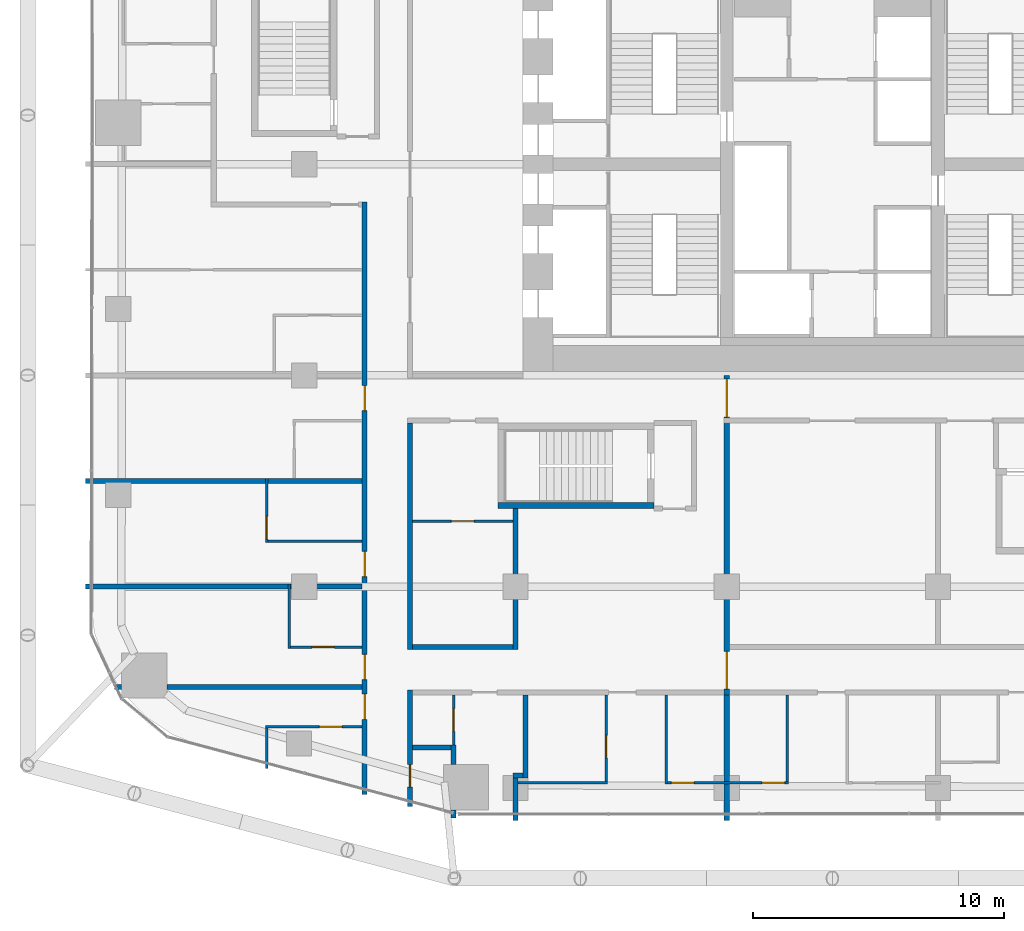
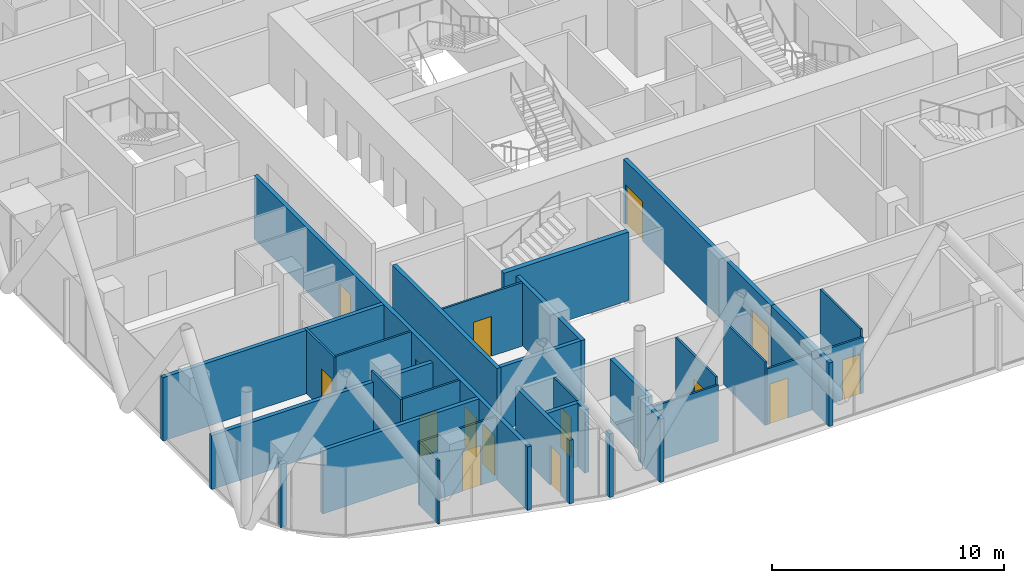
# One storey, part 24 of 34: 31 walls, 15 doors, 15 openings.
"""IFC4 building model written with IfcOpenShell, lengths in metres."""

from ifc_helpers import new_model, si_unit, direction, frame, frame_2d, origin, place, context, subcontext, project, spatial, rectangle, extrude, material, layer, layer_set, type_object, element, fill, save


model = new_model("IFC4")

# Units and contexts
model_context = context("Model", 3, precision=1e-05, world=origin(), true_north=direction((0.0, 1.0)))
body_context = subcontext(model_context, "Body", "Model", "MODEL_VIEW")
ifc_project = project(units=[si_unit("LENGTHUNIT", "METRE"), si_unit("AREAUNIT", "SQUARE_METRE"), si_unit("VOLUMEUNIT", "CUBIC_METRE"), si_unit("PLANEANGLEUNIT", "RADIAN"), si_unit("MASSUNIT", "GRAM", prefix="KILO")], contexts=[model_context])

# Site, building, storey
site_placement = place(None, origin())
site = spatial("IfcSite", under=ifc_project, at=site_placement, CompositionType="ELEMENT")
building_placement = place(site_placement, origin())
building = spatial("IfcBuilding", under=site, at=building_placement, Name="Marenta Gate Hotel Tower", CompositionType="ELEMENT")
storey_placement = place(building_placement, frame((0.0, 0.0, 76.10009765625)))
storey = spatial("IfcBuildingStorey", under=building, at=storey_placement, Name="L17", CompositionType="ELEMENT", Elevation=76.10009765625)

# Wall
ifc_material_1 = material(Name="Concrete blockwork", Category="masonry")
ifc_layer_1 = layer(ifc_material_1, 0.199951171875)
ifc_layer_set_1 = layer_set([ifc_layer_1], Name="Concrete blockwork")
wall_type_1 = type_object("IfcWallType", Name="Compartment wall 200 REI 180", PredefinedType="PARTITIONING", material=ifc_layer_set_1)
wall_1_placement = place(storey_placement, frame((-4.199951171875, -17.699951171875, 0.0), z_axis=(0.0, 0.0, 1.0), x_axis=(0.0, 1.0, 0.0)))
element("IfcWall", 1, at=wall_1_placement, inside=storey, type_object=wall_type_1, Name="L17-PTN-W075", PredefinedType="PARTITIONING", context=body_context, shape_type="SweptSolid", body=[
    extrude(rectangle(XDim=5.0, YDim=0.199951171875, at=frame_2d((2.5, 0.0))), origin(), (0.0, 0.0, 1.0), 3.33984375),
])

# Wall, openings, doors
wall_2_placement = place(storey_placement, frame((-4.199951171875, -12.699951171875, 0.0), z_axis=(0.0, 0.0, 1.0), x_axis=(0.0, 1.0, 0.0)))
wall_2 = element("IfcWall", 2, at=wall_2_placement, inside=storey, type_object=wall_type_1, Name="L17-PTN-W078", PredefinedType="PARTITIONING", context=body_context, shape_type="SweptSolid", body=[
    extrude(rectangle(XDim=12.699951171875, YDim=0.199951171875, at=frame_2d((6.35009765625, 0.0))), origin(), (0.0, 0.0, 1.0), 3.33984375),
])
opening_1_placement = place(wall_2_placement, frame((11.050048828125, 0.0, 0.0)))
opening_1 = element("IfcOpeningElement", 3, at=opening_1_placement, cuts=wall_2, Name="Opening G06-FD3", PredefinedType="OPENING", context=body_context, shape_type="SweptSolid", body=[
    extrude(rectangle(XDim=1.5, YDim=2.10009765625, at=frame_2d((0.75, 1.050048828125))), frame((0.0, 0.10009765625, 0.0), z_axis=(0.0, -1.0, 0.0), x_axis=(1.0, 0.0, 0.0)), (0.0, 0.0, 1.0), 0.199951171875),
])
opening_2_placement = place(wall_2_placement, frame((0.22509765625, 0.0, 0.0)))
opening_2 = element("IfcOpeningElement", 4, at=opening_2_placement, cuts=wall_2, Name="Opening G06-FD4", PredefinedType="OPENING", context=body_context, shape_type="SweptSolid", body=[
    extrude(rectangle(XDim=1.5, YDim=2.10009765625, at=frame_2d((0.75, 1.050048828125))), frame((0.0, 0.10009765625, 0.0), z_axis=(0.0, -1.0, 0.0), x_axis=(1.0, 0.0, 0.0)), (0.0, 0.0, 1.0), 0.199951171875),
])
ifc_material_2 = material(Name="Hollow steel door set", Category="steel")
door_type_1 = type_object("IfcDoorType", Name="Compartment fire door 1500x2100 EI 60", OperationType="DOUBLE_DOOR_DOUBLE_SWING", PredefinedType="DOOR", material=ifc_material_2)
door_1_placement = place(opening_1_placement, origin())
door_1 = element("IfcDoor", 5, at=door_1_placement, inside=storey, type_object=door_type_1, Name="L17-PD-FD03", OperationType="DOUBLE_DOOR_DOUBLE_SWING", OverallHeight=2.10009765625, OverallWidth=1.5, PredefinedType="DOOR", context=body_context, shape_type="SweptSolid", body=[
    extrude(rectangle(XDim=1.5, YDim=2.10009765625, at=frame_2d((0.75, 1.050048828125))), frame((0.0, 0.02490234375, 0.0), z_axis=(0.0, -1.0, 0.0), x_axis=(1.0, 0.0, 0.0)), (0.0, 0.0, 1.0), 0.050048828125),
])
fill(opening_1, door_1)
door_2_placement = place(opening_2_placement, origin())
door_2 = element("IfcDoor", 6, at=door_2_placement, inside=storey, type_object=door_type_1, Name="L17-PD-FD04", OperationType="DOUBLE_DOOR_DOUBLE_SWING", OverallHeight=2.10009765625, OverallWidth=1.5, PredefinedType="DOOR", context=body_context, shape_type="SweptSolid", body=[
    extrude(rectangle(XDim=1.5, YDim=2.10009765625, at=frame_2d((0.75, 1.050048828125))), frame((0.0, 0.02490234375, 0.0), z_axis=(0.0, -1.0, 0.0), x_axis=(1.0, 0.0, 0.0)), (0.0, 0.0, 1.0), 0.050048828125),
])
fill(opening_2, door_2)

# Wall
ifc_material_3 = material(Name="Concrete C40", Category="concrete")
ifc_layer_2 = layer(ifc_material_3, 0.25)
ifc_layer_set_2 = layer_set([ifc_layer_2], Name="Concrete C40")
wall_type_2 = type_object("IfcWallType", Name="Remote stair enclosure wall 250 REI 180", PredefinedType="SHEAR", material=ifc_layer_set_2)
wall_3_placement = place(storey_placement, frame((-13.300048828125, -5.175048828125, 0.099853515625), z_axis=(0.0, 0.0, 1.0), x_axis=(1.0, 0.0, 0.0)))
element("IfcWall", 7, at=wall_3_placement, inside=storey, type_object=wall_type_2, Name="L17-RS-Z1-2-W1", PredefinedType="SHEAR", context=body_context, shape_type="SweptSolid", body=[
    extrude(rectangle(XDim=6.199951171875, YDim=0.25, at=frame_2d((3.10009765625, 0.0))), origin(), (0.0, 0.0, 1.0), 3.60009765625),
])

# Wall, opening, door
ifc_material_4 = material(Name="Concrete blockwork", Category="masonry")
ifc_layer_3 = layer(ifc_material_4, 0.199951171875)
ifc_layer_set_3 = layer_set([ifc_layer_3], Name="Concrete blockwork")
wall_type_3 = type_object("IfcWallType", Name="Room corridor wall 200 EI 120", PredefinedType="PARTITIONING", material=ifc_layer_set_3)
wall_4_placement = place(storey_placement, frame((-16.800048828125, -17.14306640625, 0.0), z_axis=(0.0, 0.0, 1.0), x_axis=(0.0, 1.0, 0.0)))
wall_4 = element("IfcWall", 8, at=wall_4_placement, inside=storey, type_object=wall_type_3, Name="L17-PTN-W103", PredefinedType="PARTITIONING", context=body_context, shape_type="SweptSolid", body=[
    extrude(rectangle(XDim=4.64306640625, YDim=0.199951171875, at=frame_2d((2.321533203125, 0.0))), origin(), (0.0, 0.0, 1.0), 3.33984375),
])
opening_3_placement = place(wall_4_placement, frame((0.77197265625, 0.0, 0.0)))
opening_3 = element("IfcOpeningElement", 9, at=opening_3_placement, cuts=wall_4, Name="Opening G06-78", PredefinedType="OPENING", context=body_context, shape_type="SweptSolid", body=[
    extrude(rectangle(XDim=0.89990234375, YDim=2.10009765625, at=frame_2d((0.449951171875, 1.050048828125))), frame((0.0, 0.10009765625, 0.0), z_axis=(0.0, -1.0, 0.0), x_axis=(1.0, 0.0, 0.0)), (0.0, 0.0, 1.0), 0.199951171875),
])
ifc_material_5 = material(Name="Hollow steel door set", Category="steel")
door_type_2 = type_object("IfcDoorType", Name="Room service door 900x2100 EI 60", OperationType="NOTDEFINED", PredefinedType="DOOR", material=ifc_material_5)
door_3_placement = place(opening_3_placement, origin())
door_3 = element("IfcDoor", 10, at=door_3_placement, inside=storey, type_object=door_type_2, Name="L17-PD-D078", OperationType="SINGLE_SWING_LEFT", OverallHeight=2.10009765625, OverallWidth=0.89990234375, PredefinedType="DOOR", context=body_context, shape_type="SweptSolid", body=[
    extrude(rectangle(XDim=0.89990234375, YDim=2.10009765625, at=frame_2d((0.449951171875, 1.050048828125))), frame((0.0, 0.02490234375, 0.0), z_axis=(0.0, -1.0, 0.0), x_axis=(1.0, 0.0, 0.0)), (0.0, 0.0, 1.0), 0.050048828125),
])
fill(opening_3, door_3)

# Walls
ifc_material_6 = material(Name="Gypsum board on steel stud", Category="steel")
ifc_layer_4 = layer(ifc_material_6, 0.199951171875)
ifc_layer_set_4 = layer_set([ifc_layer_4], Name="Gypsum board on steel stud")
wall_type_4 = type_object("IfcWallType", Name="Room corridor wall 200 EI 60", PredefinedType="PARTITIONING", material=ifc_layer_set_4)
wall_5_placement = place(storey_placement, frame((-16.699951171875, -10.800048828125, 0.0), z_axis=(0.0, 0.0, 1.0), x_axis=(1.0, 0.0, 0.0)))
element("IfcWall", 11, at=wall_5_placement, inside=storey, type_object=wall_type_4, Name="L17-PTN-W038", PredefinedType="PARTITIONING", context=body_context, shape_type="SweptSolid", body=[
    extrude(rectangle(XDim=4.0, YDim=0.199951171875, at=frame_2d((2.0, 0.0))), origin(), (0.0, 0.0, 1.0), 3.33984375),
])
wall_6_placement = place(storey_placement, frame((-12.60009765625, -10.89990234375, 0.0), z_axis=(0.0, 0.0, 1.0), x_axis=(0.0, 1.0, 0.0)))
element("IfcWall", 12, at=wall_6_placement, inside=storey, type_object=wall_type_4, Name="L17-PTN-W096", PredefinedType="PARTITIONING", context=body_context, shape_type="SweptSolid", body=[
    extrude(rectangle(XDim=5.599853515625, YDim=0.199951171875, at=frame_2d((2.7998046875, 0.0))), origin(), (0.0, 0.0, 1.0), 3.33984375),
])
wall_7_placement = place(storey_placement, frame((-16.800048828125, -10.89990234375, 0.0), z_axis=(0.0, 0.0, 1.0), x_axis=(0.0, 1.0, 0.0)))
element("IfcWall", 13, at=wall_7_placement, inside=storey, type_object=wall_type_4, Name="L17-PTN-W104", PredefinedType="PARTITIONING", context=body_context, shape_type="SweptSolid", body=[
    extrude(rectangle(XDim=9.0, YDim=0.199951171875, at=frame_2d((4.5, 0.0))), origin(), (0.0, 0.0, 1.0), 3.33984375),
])

# Wall, openings, doors
wall_8_placement = place(storey_placement, frame((-18.60009765625, -16.6650390625, 0.0), z_axis=(0.0, 0.0, 1.0), x_axis=(0.0, 1.0, 0.0)))
wall_8 = element("IfcWall", 14, at=wall_8_placement, inside=storey, type_object=wall_type_4, Name="L17-PTN-W112", PredefinedType="PARTITIONING", context=body_context, shape_type="SweptSolid", body=[
    extrude(rectangle(XDim=23.56494140625, YDim=0.199951171875, at=frame_2d((11.782470703125, 0.0))), origin(), (0.0, 0.0, 1.0), 3.33984375),
])
opening_4_placement = place(wall_8_placement, frame((2.990966796875, 0.0, 0.0)))
opening_4 = element("IfcOpeningElement", 15, at=opening_4_placement, cuts=wall_8, Name="Opening G06-42", PredefinedType="OPENING", context=body_context, shape_type="SweptSolid", body=[
    extrude(rectangle(XDim=1.0, YDim=2.10009765625, at=frame_2d((0.5, 1.050048828125))), frame((0.0, 0.10009765625, 0.0), z_axis=(0.0, -1.0, 0.0), x_axis=(1.0, 0.0, 0.0)), (0.0, 0.0, 1.0), 0.199951171875),
])
opening_5_placement = place(wall_8_placement, frame((4.573974609375, 0.0, 0.0)))
opening_5 = element("IfcOpeningElement", 16, at=opening_5_placement, cuts=wall_8, Name="Opening G06-44", PredefinedType="OPENING", context=body_context, shape_type="SweptSolid", body=[
    extrude(rectangle(XDim=1.0, YDim=2.10009765625, at=frame_2d((0.5, 1.050048828125))), frame((0.0, 0.10009765625, 0.0), z_axis=(0.0, -1.0, 0.0), x_axis=(1.0, 0.0, 0.0)), (0.0, 0.0, 1.0), 0.199951171875),
])
opening_6_placement = place(wall_8_placement, frame((8.6650390625, 0.0, 0.0)))
opening_6 = element("IfcOpeningElement", 17, at=opening_6_placement, cuts=wall_8, Name="Opening G06-46", PredefinedType="OPENING", context=body_context, shape_type="SweptSolid", body=[
    extrude(rectangle(XDim=1.0, YDim=2.10009765625, at=frame_2d((0.5, 1.050048828125))), frame((0.0, 0.10009765625, 0.0), z_axis=(0.0, -1.0, 0.0), x_axis=(1.0, 0.0, 0.0)), (0.0, 0.0, 1.0), 0.199951171875),
])
opening_7_placement = place(wall_8_placement, frame((15.264892578125, 0.0, 0.0)))
opening_7 = element("IfcOpeningElement", 18, at=opening_7_placement, cuts=wall_8, Name="Opening G06-48", PredefinedType="OPENING", context=body_context, shape_type="SweptSolid", body=[
    extrude(rectangle(XDim=1.0, YDim=2.10009765625, at=frame_2d((0.5, 1.050048828125))), frame((0.0, 0.10009765625, 0.0), z_axis=(0.0, -1.0, 0.0), x_axis=(1.0, 0.0, 0.0)), (0.0, 0.0, 1.0), 0.199951171875),
])
ifc_material_7 = material(Name="Timber door leaf", Category="wood")
door_type_3 = type_object("IfcDoorType", Name="Guest room door 1000x2100 EI 30", OperationType="NOTDEFINED", PredefinedType="DOOR", material=ifc_material_7)
door_4_placement = place(opening_4_placement, origin())
door_4 = element("IfcDoor", 19, at=door_4_placement, inside=storey, type_object=door_type_3, Name="L17-PD-D042", OperationType="SINGLE_SWING_LEFT", OverallHeight=2.10009765625, OverallWidth=1.0, PredefinedType="DOOR", context=body_context, shape_type="SweptSolid", body=[
    extrude(rectangle(XDim=1.0, YDim=2.10009765625, at=frame_2d((0.5, 1.050048828125))), frame((0.0, 0.02490234375, 0.0), z_axis=(0.0, -1.0, 0.0), x_axis=(1.0, 0.0, 0.0)), (0.0, 0.0, 1.0), 0.050048828125),
])
fill(opening_4, door_4)
door_5_placement = place(opening_5_placement, origin())
door_5 = element("IfcDoor", 20, at=door_5_placement, inside=storey, type_object=door_type_3, Name="L17-PD-D044", OperationType="SINGLE_SWING_LEFT", OverallHeight=2.10009765625, OverallWidth=1.0, PredefinedType="DOOR", context=body_context, shape_type="SweptSolid", body=[
    extrude(rectangle(XDim=1.0, YDim=2.10009765625, at=frame_2d((0.5, 1.050048828125))), frame((0.0, 0.02490234375, 0.0), z_axis=(0.0, -1.0, 0.0), x_axis=(1.0, 0.0, 0.0)), (0.0, 0.0, 1.0), 0.050048828125),
])
fill(opening_5, door_5)
door_6_placement = place(opening_6_placement, origin())
door_6 = element("IfcDoor", 21, at=door_6_placement, inside=storey, type_object=door_type_3, Name="L17-PD-D046", OperationType="SINGLE_SWING_LEFT", OverallHeight=2.10009765625, OverallWidth=1.0, PredefinedType="DOOR", context=body_context, shape_type="SweptSolid", body=[
    extrude(rectangle(XDim=1.0, YDim=2.10009765625, at=frame_2d((0.5, 1.050048828125))), frame((0.0, 0.02490234375, 0.0), z_axis=(0.0, -1.0, 0.0), x_axis=(1.0, 0.0, 0.0)), (0.0, 0.0, 1.0), 0.050048828125),
])
fill(opening_6, door_6)
door_7_placement = place(opening_7_placement, origin())
door_7 = element("IfcDoor", 22, at=door_7_placement, inside=storey, type_object=door_type_3, Name="L17-PD-D048", OperationType="SINGLE_SWING_LEFT", OverallHeight=2.10009765625, OverallWidth=1.0, PredefinedType="DOOR", context=body_context, shape_type="SweptSolid", body=[
    extrude(rectangle(XDim=1.0, YDim=2.10009765625, at=frame_2d((0.5, 1.050048828125))), frame((0.0, 0.02490234375, 0.0), z_axis=(0.0, -1.0, 0.0), x_axis=(1.0, 0.0, 0.0)), (0.0, 0.0, 1.0), 0.050048828125),
])
fill(opening_7, door_7)

# Wall
ifc_material_8 = material(Name="Gypsum board on steel stud", Category="steel")
ifc_layer_5 = layer(ifc_material_8, 0.10009765625)
ifc_layer_set_5 = layer_set([ifc_layer_5], Name="Gypsum board on steel stud")
wall_type_5 = type_object("IfcWallType", Name="Room partition 100", PredefinedType="PARTITIONING", material=ifc_layer_set_5)
wall_9_placement = place(storey_placement, frame((-12.5, -16.199951171875, 0.0), z_axis=(0.0, 0.0, 1.0), x_axis=(1.0, 0.0, 0.0)))
element("IfcWall", 23, at=wall_9_placement, inside=storey, type_object=wall_type_5, Name="L17-PTN-W014", PredefinedType="PARTITIONING", context=body_context, shape_type="SweptSolid", body=[
    extrude(rectangle(XDim=3.550048828125, YDim=0.10009765625, at=frame_2d((1.77490234375, 0.0))), origin(), (0.0, 0.0, 1.0), 2.93994140625),
])

# Wall, openings, doors
wall_10_placement = place(storey_placement, frame((-6.550048828125, -16.199951171875, 0.0), z_axis=(0.0, 0.0, 1.0), x_axis=(1.0, 0.0, 0.0)))
wall_10 = element("IfcWall", 24, at=wall_10_placement, inside=storey, type_object=wall_type_5, Name="L17-PTN-W015", PredefinedType="PARTITIONING", context=body_context, shape_type="SweptSolid", body=[
    extrude(rectangle(XDim=4.800048828125, YDim=0.10009765625, at=frame_2d((2.39990234375, 0.0))), origin(), (0.0, 0.0, 1.0), 2.93994140625),
])
opening_8_placement = place(wall_10_placement, frame((0.14990234375, 0.0, 0.0)))
opening_8 = element("IfcOpeningElement", 25, at=opening_8_placement, cuts=wall_10, Name="Opening G06-34", PredefinedType="OPENING", context=body_context, shape_type="SweptSolid", body=[
    extrude(rectangle(XDim=0.89990234375, YDim=2.10009765625, at=frame_2d((0.449951171875, 1.050048828125))), frame((0.0, 0.050048828125, 0.0), z_axis=(0.0, -1.0, 0.0), x_axis=(1.0, 0.0, 0.0)), (0.0, 0.0, 1.0), 0.10009765625),
])
opening_9_placement = place(wall_10_placement, frame((3.75, 0.0, 0.0)))
opening_9 = element("IfcOpeningElement", 26, at=opening_9_placement, cuts=wall_10, Name="Opening G06-37", PredefinedType="OPENING", context=body_context, shape_type="SweptSolid", body=[
    extrude(rectangle(XDim=0.89990234375, YDim=2.10009765625, at=frame_2d((0.449951171875, 1.050048828125))), frame((0.0, 0.050048828125, 0.0), z_axis=(0.0, -1.0, 0.0), x_axis=(1.0, 0.0, 0.0)), (0.0, 0.0, 1.0), 0.10009765625),
])
ifc_material_9 = material(Name="Timber door leaf", Category="wood")
door_type_4 = type_object("IfcDoorType", Name="Room inner door 900x2100", OperationType="NOTDEFINED", PredefinedType="DOOR", material=ifc_material_9)
door_8_placement = place(opening_8_placement, origin())
door_8 = element("IfcDoor", 27, at=door_8_placement, inside=storey, type_object=door_type_4, Name="L17-PD-D034", OperationType="SINGLE_SWING_LEFT", OverallHeight=2.10009765625, OverallWidth=0.89990234375, PredefinedType="DOOR", context=body_context, shape_type="SweptSolid", body=[
    extrude(rectangle(XDim=0.89990234375, YDim=2.10009765625, at=frame_2d((0.449951171875, 1.050048828125))), frame((0.0, 0.02490234375, 0.0), z_axis=(0.0, -1.0, 0.0), x_axis=(1.0, 0.0, 0.0)), (0.0, 0.0, 1.0), 0.050048828125),
])
fill(opening_8, door_8)
door_9_placement = place(opening_9_placement, origin())
door_9 = element("IfcDoor", 28, at=door_9_placement, inside=storey, type_object=door_type_4, Name="L17-PD-D037", OperationType="SINGLE_SWING_RIGHT", OverallHeight=2.10009765625, OverallWidth=0.89990234375, PredefinedType="DOOR", context=body_context, shape_type="SweptSolid", body=[
    extrude(rectangle(XDim=0.89990234375, YDim=2.10009765625, at=frame_2d((0.449951171875, 1.050048828125))), frame((0.0, 0.02490234375, 0.0), z_axis=(0.0, -1.0, 0.0), x_axis=(1.0, 0.0, 0.0)), (0.0, 0.0, 1.0), 0.050048828125),
])
fill(opening_9, door_9)

# Wall, opening, door
wall_11_placement = place(storey_placement, frame((-22.550048828125, -13.965087890625, 0.0), z_axis=(0.0, 0.0, 1.0), x_axis=(1.0, 0.0, 0.0)))
wall_11 = element("IfcWall", 29, at=wall_11_placement, inside=storey, type_object=wall_type_5, Name="L17-PTN-W027", PredefinedType="PARTITIONING", context=body_context, shape_type="SweptSolid", body=[
    extrude(rectangle(XDim=3.85009765625, YDim=0.10009765625, at=frame_2d((1.925048828125, 0.0))), origin(), (0.0, 0.0, 1.0), 3.33984375),
])
opening_10_placement = place(wall_11_placement, frame((2.155029296875, 0.0, 0.0)))
opening_10 = element("IfcOpeningElement", 30, at=opening_10_placement, cuts=wall_11, Name="Opening G06-43", PredefinedType="OPENING", context=body_context, shape_type="SweptSolid", body=[
    extrude(rectangle(XDim=0.89990234375, YDim=2.10009765625, at=frame_2d((0.449951171875, 1.050048828125))), frame((0.0, 0.050048828125, 0.0), z_axis=(0.0, -1.0, 0.0), x_axis=(1.0, 0.0, 0.0)), (0.0, 0.0, 1.0), 0.10009765625),
])
ifc_material_10 = material(Name="Timber door leaf", Category="wood")
door_type_5 = type_object("IfcDoorType", Name="Guest bathroom door 900x2100", OperationType="NOTDEFINED", PredefinedType="DOOR", material=ifc_material_10)
door_10_placement = place(opening_10_placement, origin())
door_10 = element("IfcDoor", 31, at=door_10_placement, inside=storey, type_object=door_type_5, Name="L17-PD-D043", OperationType="SINGLE_SWING_RIGHT", OverallHeight=2.10009765625, OverallWidth=0.89990234375, PredefinedType="DOOR", context=body_context, shape_type="SweptSolid", body=[
    extrude(rectangle(XDim=0.89990234375, YDim=2.10009765625, at=frame_2d((0.449951171875, 1.050048828125))), frame((0.0, 0.02490234375, 0.0), z_axis=(0.0, -1.0, 0.0), x_axis=(1.0, 0.0, 0.0)), (0.0, 0.0, 1.0), 0.050048828125),
])
fill(opening_10, door_10)

wall_12_placement = place(storey_placement, frame((-21.550048828125, -10.800048828125, 0.0), z_axis=(0.0, 0.0, 1.0), x_axis=(1.0, 0.0, 0.0)))
wall_12 = element("IfcWall", 32, at=wall_12_placement, inside=storey, type_object=wall_type_5, Name="L17-PTN-W036", PredefinedType="PARTITIONING", context=body_context, shape_type="SweptSolid", body=[
    extrude(rectangle(XDim=2.85009765625, YDim=0.10009765625, at=frame_2d((1.425048828125, 0.0))), origin(), (0.0, 0.0, 1.0), 3.33984375),
])
opening_11_placement = place(wall_12_placement, frame((0.85009765625, 0.0, 0.0)))
opening_11 = element("IfcOpeningElement", 33, at=opening_11_placement, cuts=wall_12, Name="Opening G06-45", PredefinedType="OPENING", context=body_context, shape_type="SweptSolid", body=[
    extrude(rectangle(XDim=0.89990234375, YDim=2.10009765625, at=frame_2d((0.449951171875, 1.050048828125))), frame((0.0, 0.050048828125, 0.0), z_axis=(0.0, -1.0, 0.0), x_axis=(1.0, 0.0, 0.0)), (0.0, 0.0, 1.0), 0.10009765625),
])
door_11_placement = place(opening_11_placement, origin())
door_11 = element("IfcDoor", 34, at=door_11_placement, inside=storey, type_object=door_type_5, Name="L17-PD-D045", OperationType="SINGLE_SWING_LEFT", OverallHeight=2.10009765625, OverallWidth=0.89990234375, PredefinedType="DOOR", context=body_context, shape_type="SweptSolid", body=[
    extrude(rectangle(XDim=0.89990234375, YDim=2.10009765625, at=frame_2d((0.449951171875, 1.050048828125))), frame((0.0, 0.02490234375, 0.0), z_axis=(0.0, -1.0, 0.0), x_axis=(1.0, 0.0, 0.0)), (0.0, 0.0, 1.0), 0.050048828125),
])
fill(opening_11, door_11)

# Wall
wall_13_placement = place(storey_placement, frame((-22.449951171875, -6.60009765625, 0.0), z_axis=(0.0, 0.0, 1.0), x_axis=(1.0, 0.0, 0.0)))
element("IfcWall", 35, at=wall_13_placement, inside=storey, type_object=wall_type_5, Name="L17-PTN-W048", PredefinedType="PARTITIONING", context=body_context, shape_type="SweptSolid", body=[
    extrude(rectangle(XDim=3.75, YDim=0.10009765625, at=frame_2d((1.875, 0.0))), origin(), (0.0, 0.0, 1.0), 3.33984375),
])

# Wall, opening, door
wall_14_placement = place(storey_placement, frame((-16.699951171875, -5.800048828125, 0.0), z_axis=(0.0, 0.0, 1.0), x_axis=(1.0, 0.0, 0.0)))
wall_14 = element("IfcWall", 36, at=wall_14_placement, inside=storey, type_object=wall_type_5, Name="L17-PTN-W051", PredefinedType="PARTITIONING", context=body_context, shape_type="SweptSolid", body=[
    extrude(rectangle(XDim=4.0, YDim=0.10009765625, at=frame_2d((2.0, 0.0))), origin(), (0.0, 0.0, 1.0), 3.33984375),
])
opening_12_placement = place(wall_14_placement, frame((1.550048828125, 0.0, 0.0)))
opening_12 = element("IfcOpeningElement", 37, at=opening_12_placement, cuts=wall_14, Name="Opening G06-03", PredefinedType="OPENING", context=body_context, shape_type="SweptSolid", body=[
    extrude(rectangle(XDim=0.89990234375, YDim=2.10009765625, at=frame_2d((0.449951171875, 1.050048828125))), frame((0.0, 0.050048828125, 0.0), z_axis=(0.0, -1.0, 0.0), x_axis=(1.0, 0.0, 0.0)), (0.0, 0.0, 1.0), 0.10009765625),
])
door_12_placement = place(opening_12_placement, origin())
door_12 = element("IfcDoor", 38, at=door_12_placement, inside=storey, type_object=door_type_4, Name="L17-PD-D003", OperationType="SINGLE_SWING_LEFT", OverallHeight=2.10009765625, OverallWidth=0.89990234375, PredefinedType="DOOR", context=body_context, shape_type="SweptSolid", body=[
    extrude(rectangle(XDim=0.89990234375, YDim=2.10009765625, at=frame_2d((0.449951171875, 1.050048828125))), frame((0.0, 0.02490234375, 0.0), z_axis=(0.0, -1.0, 0.0), x_axis=(1.0, 0.0, 0.0)), (0.0, 0.0, 1.0), 0.050048828125),
])
fill(opening_12, door_12)

# Walls
wall_15_placement = place(storey_placement, frame((-1.800048828125, -16.14990234375, 0.0), z_axis=(0.0, 0.0, 1.0), x_axis=(0.0, 1.0, 0.0)))
element("IfcWall", 39, at=wall_15_placement, inside=storey, type_object=wall_type_5, Name="L17-PTN-W072", PredefinedType="PARTITIONING", context=body_context, shape_type="SweptSolid", body=[
    extrude(rectangle(XDim=3.449951171875, YDim=0.10009765625, at=frame_2d((1.72509765625, 0.0))), origin(), (0.0, 0.0, 1.0), 3.33984375),
])
wall_16_placement = place(storey_placement, frame((-6.60009765625, -16.25, 0.0), z_axis=(0.0, 0.0, 1.0), x_axis=(0.0, 1.0, 0.0)))
element("IfcWall", 40, at=wall_16_placement, inside=storey, type_object=wall_type_5, Name="L17-PTN-W081", PredefinedType="PARTITIONING", context=body_context, shape_type="SweptSolid", body=[
    extrude(rectangle(XDim=3.550048828125, YDim=0.10009765625, at=frame_2d((1.77490234375, 0.0))), origin(), (0.0, 0.0, 1.0), 3.33984375),
])

# Wall, opening, door
wall_17_placement = place(storey_placement, frame((-9.0, -16.14990234375, 0.0), z_axis=(0.0, 0.0, 1.0), x_axis=(0.0, 1.0, 0.0)))
wall_17 = element("IfcWall", 41, at=wall_17_placement, inside=storey, type_object=wall_type_5, Name="L17-PTN-W088", PredefinedType="PARTITIONING", context=body_context, shape_type="SweptSolid", body=[
    extrude(rectangle(XDim=3.449951171875, YDim=0.10009765625, at=frame_2d((1.72509765625, 0.0))), origin(), (0.0, 0.0, 1.0), 3.33984375),
])
opening_13_placement = place(wall_17_placement, frame((0.93994140625, 0.0, 0.0)))
opening_13 = element("IfcOpeningElement", 42, at=opening_13_placement, cuts=wall_17, Name="Opening G06-33", PredefinedType="OPENING", context=body_context, shape_type="SweptSolid", body=[
    extrude(rectangle(XDim=0.89990234375, YDim=2.10009765625, at=frame_2d((0.449951171875, 1.050048828125))), frame((0.0, 0.050048828125, 0.0), z_axis=(0.0, -1.0, 0.0), x_axis=(1.0, 0.0, 0.0)), (0.0, 0.0, 1.0), 0.10009765625),
])
door_13_placement = place(opening_13_placement, origin())
door_13 = element("IfcDoor", 43, at=door_13_placement, inside=storey, type_object=door_type_5, Name="L17-PD-D033", OperationType="SINGLE_SWING_LEFT", OverallHeight=2.10009765625, OverallWidth=0.89990234375, PredefinedType="DOOR", context=body_context, shape_type="SweptSolid", body=[
    extrude(rectangle(XDim=0.89990234375, YDim=2.10009765625, at=frame_2d((0.449951171875, 1.050048828125))), frame((0.0, 0.02490234375, 0.0), z_axis=(0.0, -1.0, 0.0), x_axis=(1.0, 0.0, 0.0)), (0.0, 0.0, 1.0), 0.050048828125),
])
fill(opening_13, door_13)

wall_18_placement = place(storey_placement, frame((-15.06591796875, -14.89990234375, 0.0), z_axis=(0.0, 0.0, 1.0), x_axis=(0.0, 1.0, 0.0)))
wall_18 = element("IfcWall", 44, at=wall_18_placement, inside=storey, type_object=wall_type_5, Name="L17-PTN-W101", PredefinedType="PARTITIONING", context=body_context, shape_type="SweptSolid", body=[
    extrude(rectangle(XDim=2.199951171875, YDim=0.10009765625, at=frame_2d((1.10009765625, 0.0))), origin(), (0.0, 0.0, 1.0), 3.33984375),
])
opening_14_placement = place(wall_18_placement, frame((0.75, 0.0, 0.0)))
opening_14 = element("IfcOpeningElement", 45, at=opening_14_placement, cuts=wall_18, Name="Opening G06-77", PredefinedType="OPENING", context=body_context, shape_type="SweptSolid", body=[
    extrude(rectangle(XDim=0.89990234375, YDim=2.10009765625, at=frame_2d((0.449951171875, 1.050048828125))), frame((0.0, 0.050048828125, 0.0), z_axis=(0.0, -1.0, 0.0), x_axis=(1.0, 0.0, 0.0)), (0.0, 0.0, 1.0), 0.10009765625),
])
door_14_placement = place(opening_14_placement, origin())
door_14 = element("IfcDoor", 46, at=door_14_placement, inside=storey, type_object=door_type_5, Name="L17-PD-D077", OperationType="SINGLE_SWING_RIGHT", OverallHeight=2.10009765625, OverallWidth=0.89990234375, PredefinedType="DOOR", context=body_context, shape_type="SweptSolid", body=[
    extrude(rectangle(XDim=0.89990234375, YDim=2.10009765625, at=frame_2d((0.449951171875, 1.050048828125))), frame((0.0, 0.02490234375, 0.0), z_axis=(0.0, -1.0, 0.0), x_axis=(1.0, 0.0, 0.0)), (0.0, 0.0, 1.0), 0.050048828125),
])
fill(opening_14, door_14)

# Walls
wall_19_placement = place(storey_placement, frame((-21.60009765625, -10.85009765625, 0.0), z_axis=(0.0, 0.0, 1.0), x_axis=(0.0, 1.0, 0.0)))
element("IfcWall", 47, at=wall_19_placement, inside=storey, type_object=wall_type_5, Name="L17-PTN-W124", PredefinedType="PARTITIONING", context=body_context, shape_type="SweptSolid", body=[
    extrude(rectangle(XDim=2.550048828125, YDim=0.10009765625, at=frame_2d((1.27490234375, 0.0))), origin(), (0.0, 0.0, 1.0), 3.33984375),
])
wall_20_placement = place(storey_placement, frame((-22.5, -15.631103515625, 0.0), z_axis=(0.0, 0.0, 1.0), x_axis=(0.0, 1.0, 0.0)))
element("IfcWall", 48, at=wall_20_placement, inside=storey, type_object=wall_type_5, Name="L17-PTN-W129", PredefinedType="PARTITIONING", context=body_context, shape_type="SweptSolid", body=[
    extrude(rectangle(XDim=1.6162109375, YDim=0.10009765625, at=frame_2d((0.80810546875, 0.0))), origin(), (0.0, 0.0, 1.0), 3.33984375),
])

# Wall, opening, door
wall_21_placement = place(storey_placement, frame((-22.5, -6.64990234375, 0.0), z_axis=(0.0, 0.0, 1.0), x_axis=(0.0, 1.0, 0.0)))
wall_21 = element("IfcWall", 49, at=wall_21_placement, inside=storey, type_object=wall_type_5, Name="L17-PTN-W130", PredefinedType="PARTITIONING", context=body_context, shape_type="SweptSolid", body=[
    extrude(rectangle(XDim=2.5498046875, YDim=0.10009765625, at=frame_2d((1.27490234375, 0.0))), origin(), (0.0, 0.0, 1.0), 3.33984375),
])
opening_15_placement = place(wall_21_placement, frame((0.14990234375, 0.0, 0.0)))
opening_15 = element("IfcOpeningElement", 50, at=opening_15_placement, cuts=wall_21, Name="Opening G06-47", PredefinedType="OPENING", context=body_context, shape_type="SweptSolid", body=[
    extrude(rectangle(XDim=0.89990234375, YDim=2.10009765625, at=frame_2d((0.449951171875, 1.050048828125))), frame((0.0, 0.050048828125, 0.0), z_axis=(0.0, -1.0, 0.0), x_axis=(1.0, 0.0, 0.0)), (0.0, 0.0, 1.0), 0.10009765625),
])
door_15_placement = place(opening_15_placement, origin())
door_15 = element("IfcDoor", 51, at=door_15_placement, inside=storey, type_object=door_type_5, Name="L17-PD-D047", OperationType="SINGLE_SWING_RIGHT", OverallHeight=2.10009765625, OverallWidth=0.89990234375, PredefinedType="DOOR", context=body_context, shape_type="SweptSolid", body=[
    extrude(rectangle(XDim=0.89990234375, YDim=2.10009765625, at=frame_2d((0.449951171875, 1.050048828125))), frame((0.0, 0.02490234375, 0.0), z_axis=(0.0, -1.0, 0.0), x_axis=(1.0, 0.0, 0.0)), (0.0, 0.0, 1.0), 0.050048828125),
])
fill(opening_15, door_15)

# Walls
ifc_material_11 = material(Name="Concrete blockwork", Category="masonry")
ifc_layer_6 = layer(ifc_material_11, 0.199951171875)
ifc_layer_set_6 = layer_set([ifc_layer_6], Name="Concrete blockwork")
wall_type_6 = type_object("IfcWallType", Name="Room party wall 200 EI 120", PredefinedType="PARTITIONING", material=ifc_layer_set_6)
wall_22_placement = place(storey_placement, frame((-16.699951171875, -14.800048828125, 0.0), z_axis=(0.0, 0.0, 1.0), x_axis=(1.0, 0.0, 0.0)))
element("IfcWall", 52, at=wall_22_placement, inside=storey, type_object=wall_type_6, Name="L17-PTN-W025", PredefinedType="PARTITIONING", context=body_context, shape_type="SweptSolid", body=[
    extrude(rectangle(XDim=1.583984375, YDim=0.199951171875, at=frame_2d((0.7919921875, 0.0))), origin(), (0.0, 0.0, 1.0), 3.33984375),
])
wall_23_placement = place(storey_placement, frame((-15.06591796875, -17.593017578125, 0.0), z_axis=(0.0, 0.0, 1.0), x_axis=(0.0, 1.0, 0.0)))
element("IfcWall", 53, at=wall_23_placement, inside=storey, type_object=wall_type_6, Name="L17-PTN-W100", PredefinedType="PARTITIONING", context=body_context, shape_type="SweptSolid", body=[
    extrude(rectangle(XDim=0.318115234375, YDim=0.199951171875, at=frame_2d((0.1591796875, 0.0))), origin(), (0.0, 0.0, 1.0), 3.33984375),
])
wall_24_placement = place(storey_placement, frame((-15.06591796875, -15.47509765625, 0.0), z_axis=(0.0, 0.0, 1.0), x_axis=(0.0, 1.0, 0.0)))
element("IfcWall", 54, at=wall_24_placement, inside=storey, type_object=wall_type_6, Name="L17-PTN-W150", PredefinedType="PARTITIONING", context=body_context, shape_type="SweptSolid", body=[
    extrude(rectangle(XDim=0.775146484375, YDim=0.199951171875, at=frame_2d((0.3876953125, 0.0))), origin(), (0.0, 0.0, 1.0), 3.33984375),
])
ifc_material_12 = material(Name="Gypsum board on steel stud", Category="steel")
ifc_layer_7 = layer(ifc_material_12, 0.199951171875)
ifc_layer_set_7 = layer_set([ifc_layer_7], Name="Gypsum board on steel stud")
wall_type_7 = type_object("IfcWallType", Name="Room party wall 200 EI 60", PredefinedType="PARTITIONING", material=ifc_layer_set_7)
wall_25_placement = place(storey_placement, frame((-12.699951171875, -15.89990234375, 0.0), z_axis=(0.0, 0.0, 1.0), x_axis=(1.0, 0.0, 0.0)))
element("IfcWall", 55, at=wall_25_placement, inside=storey, type_object=wall_type_7, Name="L17-PTN-W017", PredefinedType="PARTITIONING", context=body_context, shape_type="SweptSolid", body=[
    extrude(rectangle(XDim=0.39990234375, YDim=0.199951171875, at=frame_2d((0.199951171875, 0.0))), origin(), (0.0, 0.0, 1.0), 3.33984375),
])
wall_26_placement = place(storey_placement, frame((-28.552978515625, -12.383056640625, 0.0), z_axis=(0.0, 0.0, 1.0), x_axis=(1.0, 0.0, 0.0)))
element("IfcWall", 56, at=wall_26_placement, inside=storey, type_object=wall_type_7, Name="L17-PTN-W034", PredefinedType="PARTITIONING", context=body_context, shape_type="SweptSolid", body=[
    extrude(rectangle(XDim=0.2900390625, YDim=0.199951171875, at=frame_2d((0.14501953125, 0.0))), origin(), (0.0, 0.0, 1.0), 3.33984375),
])
wall_27_placement = place(storey_placement, frame((-26.462890625, -12.383056640625, 0.0), z_axis=(0.0, 0.0, 1.0), x_axis=(1.0, 0.0, 0.0)))
element("IfcWall", 57, at=wall_27_placement, inside=storey, type_object=wall_type_7, Name="L17-PTN-W149", PredefinedType="PARTITIONING", context=body_context, shape_type="SweptSolid", body=[
    extrude(rectangle(XDim=7.762939453125, YDim=0.199951171875, at=frame_2d((3.88134765625, 0.0))), origin(), (0.0, 0.0, 1.0), 3.33984375),
])
wall_28_placement = place(storey_placement, frame((-29.699951171875, -8.39990234375, 0.0), z_axis=(0.0, 0.0, 1.0), x_axis=(1.0, 0.0, 0.0)))
element("IfcWall", 58, at=wall_28_placement, inside=storey, type_object=wall_type_7, Name="L17-PTN-W042", PredefinedType="PARTITIONING", context=body_context, shape_type="SweptSolid", body=[
    extrude(rectangle(XDim=11.0, YDim=0.199951171875, at=frame_2d((5.5, 0.0))), origin(), (0.0, 0.0, 1.0), 2.83984375),
])
wall_29_placement = place(storey_placement, frame((-29.699951171875, -4.199951171875, 0.0), z_axis=(0.0, 0.0, 1.0), x_axis=(1.0, 0.0, 0.0)))
element("IfcWall", 59, at=wall_29_placement, inside=storey, type_object=wall_type_7, Name="L17-PTN-W057", PredefinedType="PARTITIONING", context=body_context, shape_type="SweptSolid", body=[
    extrude(rectangle(XDim=11.0, YDim=0.199951171875, at=frame_2d((5.5, 0.0))), origin(), (0.0, 0.0, 1.0), 3.33984375),
])
wall_30_placement = place(storey_placement, frame((-12.199951171875, -16.0, 0.0), z_axis=(0.0, 0.0, 1.0), x_axis=(0.0, 1.0, 0.0)))
element("IfcWall", 60, at=wall_30_placement, inside=storey, type_object=wall_type_7, Name="L17-PTN-W092", PredefinedType="PARTITIONING", context=body_context, shape_type="SweptSolid", body=[
    extrude(rectangle(XDim=3.300048828125, YDim=0.199951171875, at=frame_2d((1.64990234375, 0.0))), origin(), (0.0, 0.0, 1.0), 3.33984375),
])
wall_31_placement = place(storey_placement, frame((-12.60009765625, -17.699951171875, 0.0), z_axis=(0.0, 0.0, 1.0), x_axis=(0.0, 1.0, 0.0)))
element("IfcWall", 61, at=wall_31_placement, inside=storey, type_object=wall_type_7, Name="L17-PTN-W093", PredefinedType="PARTITIONING", context=body_context, shape_type="SweptSolid", body=[
    extrude(rectangle(XDim=1.699951171875, YDim=0.199951171875, at=frame_2d((0.85009765625, 0.0))), origin(), (0.0, 0.0, 1.0), 3.33984375),
])

save(model, "model.ifc")
